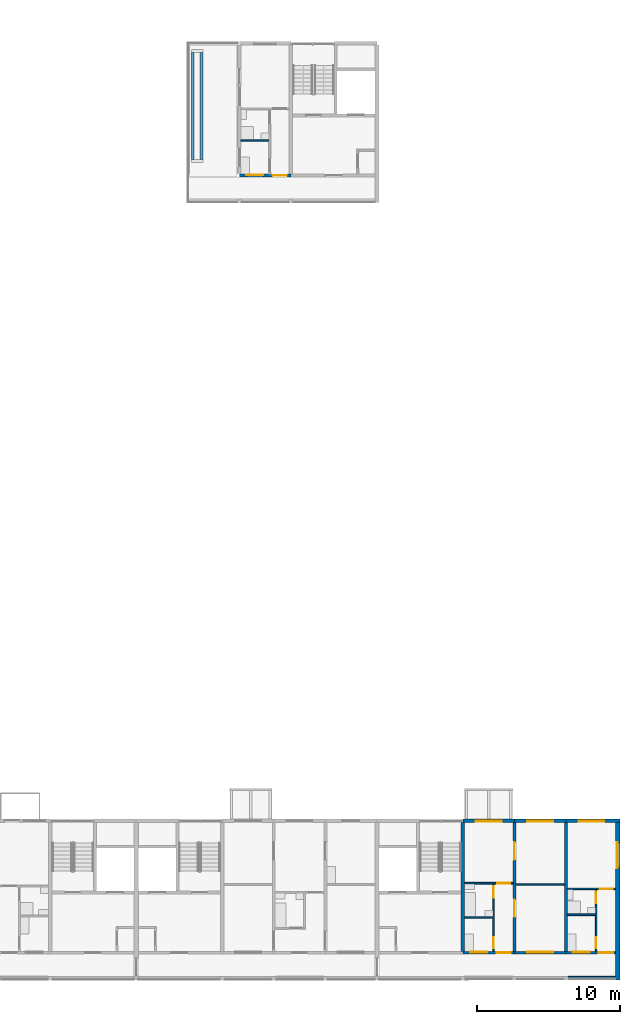
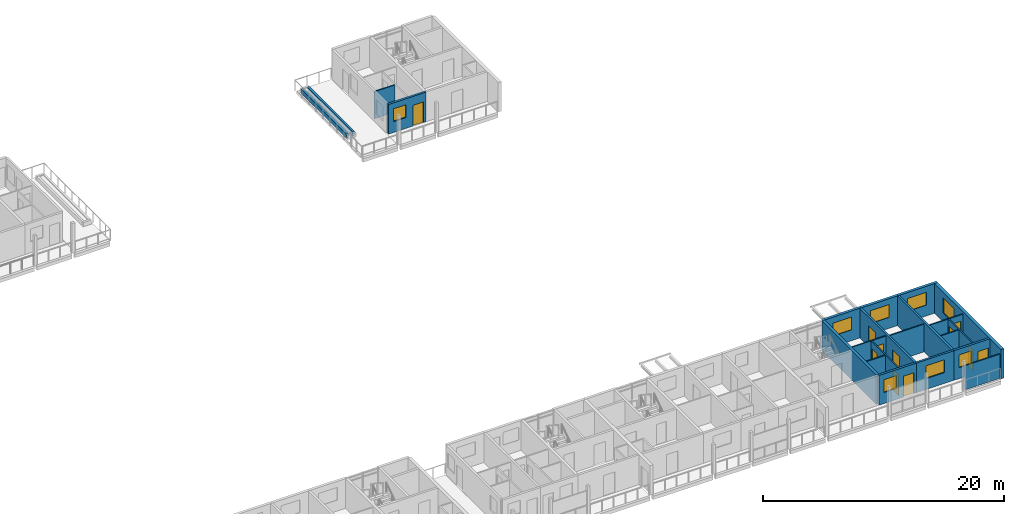
# One storey, part 38 of 64: 22 walls, 11 doors, 8 windows, 19 openings.
"""IFC4 building model written with IfcOpenShell, lengths in metres."""

from ifc_helpers import new_model, si_unit, direction, frame, frame_2d, origin, place, context, subcontext, project, spatial, rectangle, extrude, material, layer, layer_set, type_object, element, fill, save


model = new_model("IFC4")

# Units and contexts
model_context = context("Model", 3, precision=1e-05, world=origin(), true_north=direction((0.0, 1.0)))
body_context = subcontext(model_context, "Body", "Model", "MODEL_VIEW")
ifc_project = project(units=[si_unit("LENGTHUNIT", "METRE"), si_unit("AREAUNIT", "SQUARE_METRE"), si_unit("VOLUMEUNIT", "CUBIC_METRE"), si_unit("PLANEANGLEUNIT", "RADIAN"), si_unit("MASSUNIT", "GRAM", prefix="KILO")], contexts=[model_context])

# Site, building, storey
site_placement = place(None, origin())
site = spatial("IfcSite", under=ifc_project, at=site_placement, CompositionType="ELEMENT")
building_placement = place(site_placement, origin())
building = spatial("IfcBuilding", under=site, at=building_placement, Name="Ridgestep Commons", CompositionType="ELEMENT")
storey_placement = place(building_placement, frame((0.0, 0.0, 33.0)))
storey = spatial("IfcBuildingStorey", under=building, at=storey_placement, Name="L11", CompositionType="ELEMENT", Elevation=33.0)

# Wall
ifc_material_1 = material(Name="Concrete C30/37", Category="concrete")
ifc_layer_1 = layer(ifc_material_1, 0.25)
ifc_layer_set_1 = layer_set([ifc_layer_1], Name="Core cross wall 250")
wall_type_1 = type_object("IfcWallType", Name="Core cross wall 250", PredefinedType="SHEAR", material=ifc_layer_set_1)
wall_1_placement = place(storey_placement, frame((236.800048828125, 13.75, 0.0), z_axis=(0.0, 0.0, 1.0), x_axis=(0.0, 1.0, 0.0)))
element("IfcWall", 1, at=wall_1_placement, inside=storey, type_object=wall_type_1, Name="Cross wall D-11-2368", PredefinedType="SHEAR", context=body_context, shape_type="SweptSolid", body=[
    extrude(rectangle(XDim=9.0, YDim=0.25, at=frame_2d((4.5, 0.0))), origin(), (0.0, 0.0, 1.0), 3.0),
])

# Wall, openings, doors
ifc_material_2 = material(Name="Precast concrete C40/50", Category="concrete")
ifc_layer_2 = layer(ifc_material_2, 0.199951171875)
ifc_layer_set_2 = layer_set([ifc_layer_2], Name="Cross wall 200")
wall_type_2 = type_object("IfcWallType", Name="Cross wall 200", PredefinedType="SHEAR", material=ifc_layer_set_2)
wall_2_placement = place(storey_placement, frame((240.39990234375, 13.75, 0.0), z_axis=(0.0, 0.0, 1.0), x_axis=(0.0, 1.0, 0.0)))
wall_2 = element("IfcWall", 2, at=wall_2_placement, inside=storey, type_object=wall_type_2, Name="Cross wall D-11-2404", PredefinedType="SHEAR", context=body_context, shape_type="SweptSolid", body=[
    extrude(rectangle(XDim=9.0, YDim=0.199951171875, at=frame_2d((4.5, 0.0))), origin(), (0.0, 0.0, 1.0), 3.0),
])
opening_1_placement = place(wall_2_placement, frame((2.39990234375, 0.0, 0.0)))
opening_1 = element("IfcOpeningElement", 3, at=opening_1_placement, cuts=wall_2, Name="Opening D6-11b/5", PredefinedType="OPENING", context=body_context, shape_type="SweptSolid", body=[
    extrude(rectangle(XDim=1.199951171875, YDim=2.10009765625, at=frame_2d((0.60009765625, 1.050048828125))), frame((0.0, 0.10986328125, 0.0), z_axis=(0.0, -1.0, 0.0), x_axis=(1.0, 0.0, 0.0)), (0.0, 0.0, 1.0), 0.219970703125),
])
opening_2_placement = place(wall_2_placement, frame((6.39990234375, 0.0, 0.0)))
opening_2 = element("IfcOpeningElement", 4, at=opening_2_placement, cuts=wall_2, Name="Opening D6-11b/6", PredefinedType="OPENING", context=body_context, shape_type="SweptSolid", body=[
    extrude(rectangle(XDim=1.199951171875, YDim=2.10009765625, at=frame_2d((0.60009765625, 1.050048828125))), frame((0.0, 0.10986328125, 0.0), z_axis=(0.0, -1.0, 0.0), x_axis=(1.0, 0.0, 0.0)), (0.0, 0.0, 1.0), 0.219970703125),
])
ifc_material_3 = material(Name="Timber door leaf", Category="wood")
door_type_1 = type_object("IfcDoorType", Name="Double door 1200 x 2100", OperationType="DOUBLE_DOOR_SINGLE_SWING", PredefinedType="DOOR", material=ifc_material_3)
door_1_placement = place(opening_1_placement, origin())
door_1 = element("IfcDoor", 5, at=door_1_placement, inside=storey, type_object=door_type_1, Name="Double door D6-11b/5", OperationType="DOUBLE_DOOR_SINGLE_SWING", OverallHeight=2.10009765625, OverallWidth=1.199951171875, PredefinedType="DOOR", context=body_context, shape_type="SweptSolid", body=[
    extrude(rectangle(XDim=1.199951171875, YDim=2.10009765625, at=frame_2d((0.60009765625, 1.050048828125))), frame((0.0, 0.02490234375, 0.0), z_axis=(0.0, -1.0, 0.0), x_axis=(1.0, 0.0, 0.0)), (0.0, 0.0, 1.0), 0.050048828125),
])
fill(opening_1, door_1)
door_2_placement = place(opening_2_placement, origin())
door_2 = element("IfcDoor", 6, at=door_2_placement, inside=storey, type_object=door_type_1, Name="Double door D6-11b/6", OperationType="DOUBLE_DOOR_SINGLE_SWING", OverallHeight=2.10009765625, OverallWidth=1.199951171875, PredefinedType="DOOR", context=body_context, shape_type="SweptSolid", body=[
    extrude(rectangle(XDim=1.199951171875, YDim=2.10009765625, at=frame_2d((0.60009765625, 1.050048828125))), frame((0.0, 0.02490234375, 0.0), z_axis=(0.0, -1.0, 0.0), x_axis=(1.0, 0.0, 0.0)), (0.0, 0.0, 1.0), 0.050048828125),
])
fill(opening_2, door_2)

# Wall
wall_3_placement = place(storey_placement, frame((244.0, 13.75, 0.0), z_axis=(0.0, 0.0, 1.0), x_axis=(0.0, 1.0, 0.0)))
element("IfcWall", 7, at=wall_3_placement, inside=storey, type_object=wall_type_2, Name="Cross wall D-11-2440", PredefinedType="SHEAR", context=body_context, shape_type="SweptSolid", body=[
    extrude(rectangle(XDim=9.0, YDim=0.199951171875, at=frame_2d((4.5, 0.0))), origin(), (0.0, 0.0, 1.0), 3.0),
])

# Wall, opening, window
ifc_material_4 = material(Name="Precast concrete C40/50", Category="concrete")
ifc_layer_3 = layer(ifc_material_4, 0.300048828125)
ifc_layer_set_3 = layer_set([ifc_layer_3], Name="Exposed division wall 300")
wall_type_3 = type_object("IfcWallType", Name="Exposed division wall 300", PredefinedType="SHEAR", material=ifc_layer_set_3)
wall_4_placement = place(storey_placement, frame((247.60009765625, 11.75, 0.0), z_axis=(0.0, 0.0, 1.0), x_axis=(0.0, 1.0, 0.0)))
wall_4 = element("IfcWall", 8, at=wall_4_placement, inside=storey, type_object=wall_type_3, Name="Cross wall D-11-2476", PredefinedType="SHEAR", context=body_context, shape_type="SweptSolid", body=[
    extrude(rectangle(XDim=11.0, YDim=0.300048828125, at=frame_2d((5.5, 0.0))), origin(), (0.0, 0.0, 1.0), 3.0),
])
opening_3_placement = place(wall_4_placement, frame((7.804931640625, 0.0, 0.89990234375)))
opening_3 = element("IfcOpeningElement", 9, at=opening_3_placement, cuts=wall_4, Name="Opening W20", PredefinedType="OPENING", context=body_context, shape_type="SweptSolid", body=[
    extrude(rectangle(XDim=1.800048828125, YDim=1.5, at=frame_2d((0.89990234375, 0.75))), frame((0.0, 0.159912109375, 0.0), z_axis=(0.0, -1.0, 0.0), x_axis=(1.0, 0.0, 0.0)), (0.0, 0.0, 1.0), 0.320068359375),
])
ifc_material_5 = material(Name="Aluminium 6063-T6 and glass", Category="aluminium")
window_type_1 = type_object("IfcWindowType", Name="Flat window 1800 x 1500", PartitioningType="DOUBLE_PANEL_VERTICAL", PredefinedType="WINDOW", material=ifc_material_5)
window_1_placement = place(opening_3_placement, origin())
window_1 = element("IfcWindow", 10, at=window_1_placement, inside=storey, type_object=window_type_1, Name="Window D6-11a 3", OverallHeight=1.5, OverallWidth=1.800048828125, PartitioningType="SINGLE_PANEL", PredefinedType="WINDOW", context=body_context, shape_type="SweptSolid", body=[
    extrude(rectangle(XDim=1.800048828125, YDim=1.5, at=frame_2d((0.89990234375, 0.75))), frame((0.0, 0.06005859375, 0.0), z_axis=(0.0, -1.0, 0.0), x_axis=(1.0, 0.0, 0.0)), (0.0, 0.0, 1.0), 0.06005859375),
])
fill(opening_3, window_1)

ifc_material_6 = material(Name="Precast concrete C40/50", Category="concrete")
ifc_layer_4 = layer(ifc_material_6, 0.25)
ifc_layer_set_4 = layer_set([ifc_layer_4], Name="North facade panel 250")
wall_type_4 = type_object("IfcWallType", Name="North facade panel 250", PredefinedType="SOLIDWALL", material=ifc_layer_set_4)
wall_5_placement = place(storey_placement, frame((236.800048828125, 22.875, 0.0), z_axis=(0.0, 0.0, 1.0), x_axis=(1.0, 0.0, 0.0)))
wall_5 = element("IfcWall", 11, at=wall_5_placement, inside=storey, type_object=wall_type_4, Name="North panel D6T3 L11", PredefinedType="SOLIDWALL", context=body_context, shape_type="SweptSolid", body=[
    extrude(rectangle(XDim=3.599853515625, YDim=0.25, at=frame_2d((1.7998046875, 0.0))), origin(), (0.0, 0.0, 1.0), 3.0),
])
opening_4_placement = place(wall_5_placement, frame((0.91259765625, 0.0, 1.10009765625)))
opening_4 = element("IfcOpeningElement", 12, at=opening_4_placement, cuts=wall_5, Name="Opening W18", PredefinedType="OPENING", context=body_context, shape_type="SweptSolid", body=[
    extrude(rectangle(XDim=1.800048828125, YDim=1.300048828125, at=frame_2d((0.89990234375, 0.64990234375))), frame((0.0, 0.135009765625, 0.0), z_axis=(0.0, -1.0, 0.0), x_axis=(1.0, 0.0, 0.0)), (0.0, 0.0, 1.0), 0.27001953125),
])
ifc_material_7 = material(Name="Aluminium 6063-T6 and glass", Category="aluminium")
window_type_2 = type_object("IfcWindowType", Name="Flat window 1800 x 1300", PartitioningType="DOUBLE_PANEL_VERTICAL", PredefinedType="WINDOW", material=ifc_material_7)
window_2_placement = place(opening_4_placement, origin())
window_2 = element("IfcWindow", 13, at=window_2_placement, inside=storey, type_object=window_type_2, Name="Window D6-11b 4", OverallHeight=1.300048828125, OverallWidth=1.800048828125, PartitioningType="SINGLE_PANEL", PredefinedType="WINDOW", context=body_context, shape_type="SweptSolid", body=[
    extrude(rectangle(XDim=1.800048828125, YDim=1.300048828125, at=frame_2d((0.89990234375, 0.64990234375))), frame((0.0, -0.02490234375, 0.0), z_axis=(0.0, -1.0, 0.0), x_axis=(1.0, 0.0, 0.0)), (0.0, 0.0, 1.0), 0.06005859375),
])
fill(opening_4, window_2)

wall_6_placement = place(storey_placement, frame((240.39990234375, 22.875, 0.0), z_axis=(0.0, 0.0, 1.0), x_axis=(1.0, 0.0, 0.0)))
wall_6 = element("IfcWall", 14, at=wall_6_placement, inside=storey, type_object=wall_type_4, Name="North panel D6T2 L11", PredefinedType="SOLIDWALL", context=body_context, shape_type="SweptSolid", body=[
    extrude(rectangle(XDim=3.60009765625, YDim=0.25, at=frame_2d((1.800048828125, 0.0))), origin(), (0.0, 0.0, 1.0), 3.0),
])
opening_5_placement = place(wall_6_placement, frame((0.89990234375, 0.0, 1.10009765625)))
opening_5 = element("IfcOpeningElement", 15, at=opening_5_placement, cuts=wall_6, Name="Opening W18", PredefinedType="OPENING", context=body_context, shape_type="SweptSolid", body=[
    extrude(rectangle(XDim=1.800048828125, YDim=1.300048828125, at=frame_2d((0.89990234375, 0.64990234375))), frame((0.0, 0.135009765625, 0.0), z_axis=(0.0, -1.0, 0.0), x_axis=(1.0, 0.0, 0.0)), (0.0, 0.0, 1.0), 0.27001953125),
])
window_3_placement = place(opening_5_placement, origin())
window_3 = element("IfcWindow", 16, at=window_3_placement, inside=storey, type_object=window_type_2, Name="Window D6-11b 2", OverallHeight=1.300048828125, OverallWidth=1.800048828125, PartitioningType="SINGLE_PANEL", PredefinedType="WINDOW", context=body_context, shape_type="SweptSolid", body=[
    extrude(rectangle(XDim=1.800048828125, YDim=1.300048828125, at=frame_2d((0.89990234375, 0.64990234375))), frame((0.0, -0.02490234375, 0.0), z_axis=(0.0, -1.0, 0.0), x_axis=(1.0, 0.0, 0.0)), (0.0, 0.0, 1.0), 0.06005859375),
])
fill(opening_5, window_3)

wall_7_placement = place(storey_placement, frame((244.0, 22.875, 0.0), z_axis=(0.0, 0.0, 1.0), x_axis=(1.0, 0.0, 0.0)))
wall_7 = element("IfcWall", 17, at=wall_7_placement, inside=storey, type_object=wall_type_4, Name="North panel D6T1 L11", PredefinedType="SOLIDWALL", context=body_context, shape_type="SweptSolid", body=[
    extrude(rectangle(XDim=3.75, YDim=0.25, at=frame_2d((1.875, 0.0))), origin(), (0.0, 0.0, 1.0), 3.0),
])
opening_6_placement = place(wall_7_placement, frame((0.875, 0.0, 1.10009765625)))
opening_6 = element("IfcOpeningElement", 18, at=opening_6_placement, cuts=wall_7, Name="Opening W18", PredefinedType="OPENING", context=body_context, shape_type="SweptSolid", body=[
    extrude(rectangle(XDim=1.800048828125, YDim=1.300048828125, at=frame_2d((0.89990234375, 0.64990234375))), frame((0.0, 0.135009765625, 0.0), z_axis=(0.0, -1.0, 0.0), x_axis=(1.0, 0.0, 0.0)), (0.0, 0.0, 1.0), 0.27001953125),
])
window_4_placement = place(opening_6_placement, origin())
window_4 = element("IfcWindow", 19, at=window_4_placement, inside=storey, type_object=window_type_2, Name="Window D6-11a 2", OverallHeight=1.300048828125, OverallWidth=1.800048828125, PartitioningType="SINGLE_PANEL", PredefinedType="WINDOW", context=body_context, shape_type="SweptSolid", body=[
    extrude(rectangle(XDim=1.800048828125, YDim=1.300048828125, at=frame_2d((0.89990234375, 0.64990234375))), frame((0.0, -0.02490234375, 0.0), z_axis=(0.0, -1.0, 0.0), x_axis=(1.0, 0.0, 0.0)), (0.0, 0.0, 1.0), 0.06005859375),
])
fill(opening_6, window_4)

# Walls
ifc_material_8 = material(Name="Common brick 110 mm", Category="masonry")
ifc_layer_5 = layer(ifc_material_8, 0.110107421875)
ifc_layer_set_5 = layer_set([ifc_layer_5], Name="Partition 110")
wall_type_5 = type_object("IfcWallType", Name="Partition 110", PredefinedType="PARTITIONING", material=ifc_layer_set_5)
wall_8_placement = place(storey_placement, frame((221.300048828125, 70.35498046875, 0.0), z_axis=(0.0, 0.0, 1.0), x_axis=(1.0, 0.0, 0.0)))
element("IfcWall", 20, at=wall_8_placement, inside=storey, type_object=wall_type_5, Name="Partition C5-11a", PredefinedType="PARTITIONING", context=body_context, shape_type="SweptSolid", body=[
    extrude(rectangle(XDim=1.96484375, YDim=0.110107421875, at=frame_2d((0.982421875, 0.0))), origin(), (0.0, 0.0, 1.0), 2.75),
])
wall_9_placement = place(storey_placement, frame((244.10009765625, 16.304931640625, 0.0), z_axis=(0.0, 0.0, 1.0), x_axis=(1.0, 0.0, 0.0)))
element("IfcWall", 21, at=wall_9_placement, inside=storey, type_object=wall_type_5, Name="Partition D6-11a", PredefinedType="PARTITIONING", context=body_context, shape_type="SweptSolid", body=[
    extrude(rectangle(XDim=1.93994140625, YDim=0.110107421875, at=frame_2d((0.969970703125, 0.0))), origin(), (0.0, 0.0, 1.0), 2.75),
])

# Wall, openings, doors
wall_10_placement = place(storey_placement, frame((246.094970703125, 13.75, 0.0), z_axis=(0.0, 0.0, 1.0), x_axis=(0.0, 1.0, 0.0)))
wall_10 = element("IfcWall", 22, at=wall_10_placement, inside=storey, type_object=wall_type_5, Name="Partition D6-11a", PredefinedType="PARTITIONING", context=body_context, shape_type="SweptSolid", body=[
    extrude(rectangle(XDim=4.300048828125, YDim=0.110107421875, at=frame_2d((2.14990234375, 0.0))), origin(), (0.0, 0.0, 1.0), 2.75),
])
opening_7_placement = place(wall_10_placement, frame((0.199951171875, 0.0, 0.0)))
opening_7 = element("IfcOpeningElement", 23, at=opening_7_placement, cuts=wall_10, Name="Opening D6-11a/2", PredefinedType="OPENING", context=body_context, shape_type="SweptSolid", body=[
    extrude(rectangle(XDim=0.800048828125, YDim=2.10009765625, at=frame_2d((0.39990234375, 1.050048828125))), frame((0.0, 0.06494140625, 0.0), z_axis=(0.0, -1.0, 0.0), x_axis=(1.0, 0.0, 0.0)), (0.0, 0.0, 1.0), 0.130126953125),
])
opening_8_placement = place(wall_10_placement, frame((3.35009765625, 0.0, 0.0)))
opening_8 = element("IfcOpeningElement", 24, at=opening_8_placement, cuts=wall_10, Name="Opening D6-11a/3", PredefinedType="OPENING", context=body_context, shape_type="SweptSolid", body=[
    extrude(rectangle(XDim=0.800048828125, YDim=2.10009765625, at=frame_2d((0.39990234375, 1.050048828125))), frame((0.0, 0.06494140625, 0.0), z_axis=(0.0, -1.0, 0.0), x_axis=(1.0, 0.0, 0.0)), (0.0, 0.0, 1.0), 0.130126953125),
])
ifc_material_9 = material(Name="Timber door leaf", Category="wood")
door_type_2 = type_object("IfcDoorType", Name="Internal door 800 x 2100", OperationType="NOTDEFINED", PredefinedType="DOOR", material=ifc_material_9)
door_3_placement = place(opening_7_placement, origin())
door_3 = element("IfcDoor", 25, at=door_3_placement, inside=storey, type_object=door_type_2, Name="Internal door D6-11a/2", OperationType="SINGLE_SWING_LEFT", OverallHeight=2.10009765625, OverallWidth=0.800048828125, PredefinedType="DOOR", context=body_context, shape_type="SweptSolid", body=[
    extrude(rectangle(XDim=0.800048828125, YDim=2.10009765625, at=frame_2d((0.39990234375, 1.050048828125))), frame((0.0, 0.02490234375, 0.0), z_axis=(0.0, -1.0, 0.0), x_axis=(1.0, 0.0, 0.0)), (0.0, 0.0, 1.0), 0.050048828125),
])
fill(opening_7, door_3)
door_4_placement = place(opening_8_placement, origin())
door_4 = element("IfcDoor", 26, at=door_4_placement, inside=storey, type_object=door_type_2, Name="Internal door D6-11a/3", OperationType="SINGLE_SWING_RIGHT", OverallHeight=2.10009765625, OverallWidth=0.800048828125, PredefinedType="DOOR", context=body_context, shape_type="SweptSolid", body=[
    extrude(rectangle(XDim=0.800048828125, YDim=2.10009765625, at=frame_2d((0.39990234375, 1.050048828125))), frame((0.0, 0.02490234375, 0.0), z_axis=(0.0, -1.0, 0.0), x_axis=(1.0, 0.0, 0.0)), (0.0, 0.0, 1.0), 0.050048828125),
])
fill(opening_8, door_4)

# Wall, opening, door
wall_11_placement = place(storey_placement, frame((244.10009765625, 18.10498046875, 0.0), z_axis=(0.0, 0.0, 1.0), x_axis=(1.0, 0.0, 0.0)))
wall_11 = element("IfcWall", 27, at=wall_11_placement, inside=storey, type_object=wall_type_5, Name="Partition D6-11a", PredefinedType="PARTITIONING", context=body_context, shape_type="SweptSolid", body=[
    extrude(rectangle(XDim=3.349853515625, YDim=0.110107421875, at=frame_2d((1.6748046875, 0.0))), origin(), (0.0, 0.0, 1.0), 2.75),
])
opening_9_placement = place(wall_11_placement, frame((2.25, 0.0, 0.0)))
opening_9 = element("IfcOpeningElement", 28, at=opening_9_placement, cuts=wall_11, Name="Opening D6-11a/4", PredefinedType="OPENING", context=body_context, shape_type="SweptSolid", body=[
    extrude(rectangle(XDim=0.89990234375, YDim=2.10009765625, at=frame_2d((0.449951171875, 1.050048828125))), frame((0.0, 0.06494140625, 0.0), z_axis=(0.0, -1.0, 0.0), x_axis=(1.0, 0.0, 0.0)), (0.0, 0.0, 1.0), 0.130126953125),
])
ifc_material_10 = material(Name="Timber door leaf", Category="wood")
door_type_3 = type_object("IfcDoorType", Name="Internal door 900 x 2100", OperationType="NOTDEFINED", PredefinedType="DOOR", material=ifc_material_10)
door_5_placement = place(opening_9_placement, origin())
door_5 = element("IfcDoor", 29, at=door_5_placement, inside=storey, type_object=door_type_3, Name="Internal door D6-11a/4", OperationType="SINGLE_SWING_LEFT", OverallHeight=2.10009765625, OverallWidth=0.89990234375, PredefinedType="DOOR", context=body_context, shape_type="SweptSolid", body=[
    extrude(rectangle(XDim=0.89990234375, YDim=2.10009765625, at=frame_2d((0.449951171875, 1.050048828125))), frame((0.0, 0.02490234375, 0.0), z_axis=(0.0, -1.0, 0.0), x_axis=(1.0, 0.0, 0.0)), (0.0, 0.0, 1.0), 0.050048828125),
])
fill(opening_9, door_5)

# Wall
wall_12_placement = place(storey_placement, frame((236.925048828125, 16.10498046875, 0.0), z_axis=(0.0, 0.0, 1.0), x_axis=(1.0, 0.0, 0.0)))
element("IfcWall", 30, at=wall_12_placement, inside=storey, type_object=wall_type_5, Name="Partition D6-11b", PredefinedType="PARTITIONING", context=body_context, shape_type="SweptSolid", body=[
    extrude(rectangle(XDim=1.96484375, YDim=0.110107421875, at=frame_2d((0.982421875, 0.0))), origin(), (0.0, 0.0, 1.0), 2.800048828125),
])

# Wall, openings, doors
wall_13_placement = place(storey_placement, frame((238.945068359375, 13.75, 0.0), z_axis=(0.0, 0.0, 1.0), x_axis=(0.0, 1.0, 0.0)))
wall_13 = element("IfcWall", 31, at=wall_13_placement, inside=storey, type_object=wall_type_5, Name="Partition D6-11b", PredefinedType="PARTITIONING", context=body_context, shape_type="SweptSolid", body=[
    extrude(rectangle(XDim=4.699951171875, YDim=0.110107421875, at=frame_2d((2.35009765625, 0.0))), origin(), (0.0, 0.0, 1.0), 2.800048828125),
])
opening_10_placement = place(wall_13_placement, frame((0.199951171875, 0.0, 0.0)))
opening_10 = element("IfcOpeningElement", 32, at=opening_10_placement, cuts=wall_13, Name="Opening D6-11b/2", PredefinedType="OPENING", context=body_context, shape_type="SweptSolid", body=[
    extrude(rectangle(XDim=0.800048828125, YDim=2.10009765625, at=frame_2d((0.39990234375, 1.050048828125))), frame((0.0, 0.06494140625, 0.0), z_axis=(0.0, -1.0, 0.0), x_axis=(1.0, 0.0, 0.0)), (0.0, 0.0, 1.0), 0.130126953125),
])
opening_11_placement = place(wall_13_placement, frame((3.75, 0.0, 0.0)))
opening_11 = element("IfcOpeningElement", 33, at=opening_11_placement, cuts=wall_13, Name="Opening D6-11b/3", PredefinedType="OPENING", context=body_context, shape_type="SweptSolid", body=[
    extrude(rectangle(XDim=0.800048828125, YDim=2.10009765625, at=frame_2d((0.39990234375, 1.050048828125))), frame((0.0, 0.06494140625, 0.0), z_axis=(0.0, -1.0, 0.0), x_axis=(1.0, 0.0, 0.0)), (0.0, 0.0, 1.0), 0.130126953125),
])
door_6_placement = place(opening_10_placement, origin())
door_6 = element("IfcDoor", 34, at=door_6_placement, inside=storey, type_object=door_type_2, Name="Internal door D6-11b/2", OperationType="SINGLE_SWING_LEFT", OverallHeight=2.10009765625, OverallWidth=0.800048828125, PredefinedType="DOOR", context=body_context, shape_type="SweptSolid", body=[
    extrude(rectangle(XDim=0.800048828125, YDim=2.10009765625, at=frame_2d((0.39990234375, 1.050048828125))), frame((0.0, 0.02490234375, 0.0), z_axis=(0.0, -1.0, 0.0), x_axis=(1.0, 0.0, 0.0)), (0.0, 0.0, 1.0), 0.050048828125),
])
fill(opening_10, door_6)
door_7_placement = place(opening_11_placement, origin())
door_7 = element("IfcDoor", 35, at=door_7_placement, inside=storey, type_object=door_type_2, Name="Internal door D6-11b/3", OperationType="SINGLE_SWING_RIGHT", OverallHeight=2.10009765625, OverallWidth=0.800048828125, PredefinedType="DOOR", context=body_context, shape_type="SweptSolid", body=[
    extrude(rectangle(XDim=0.800048828125, YDim=2.10009765625, at=frame_2d((0.39990234375, 1.050048828125))), frame((0.0, 0.02490234375, 0.0), z_axis=(0.0, -1.0, 0.0), x_axis=(1.0, 0.0, 0.0)), (0.0, 0.0, 1.0), 0.050048828125),
])
fill(opening_11, door_7)

# Wall, opening, door
wall_14_placement = place(storey_placement, frame((236.925048828125, 18.5048828125, 0.0), z_axis=(0.0, 0.0, 1.0), x_axis=(1.0, 0.0, 0.0)))
wall_14 = element("IfcWall", 36, at=wall_14_placement, inside=storey, type_object=wall_type_5, Name="Partition D6-11b", PredefinedType="PARTITIONING", context=body_context, shape_type="SweptSolid", body=[
    extrude(rectangle(XDim=3.375, YDim=0.110107421875, at=frame_2d((1.6875, 0.0))), origin(), (0.0, 0.0, 1.0), 2.800048828125),
])
opening_12_placement = place(wall_14_placement, frame((2.27490234375, 0.0, 0.0)))
opening_12 = element("IfcOpeningElement", 37, at=opening_12_placement, cuts=wall_14, Name="Opening D6-11b/4", PredefinedType="OPENING", context=body_context, shape_type="SweptSolid", body=[
    extrude(rectangle(XDim=0.89990234375, YDim=2.10009765625, at=frame_2d((0.449951171875, 1.050048828125))), frame((0.0, 0.06494140625, 0.0), z_axis=(0.0, -1.0, 0.0), x_axis=(1.0, 0.0, 0.0)), (0.0, 0.0, 1.0), 0.130126953125),
])
door_8_placement = place(opening_12_placement, origin())
door_8 = element("IfcDoor", 38, at=door_8_placement, inside=storey, type_object=door_type_3, Name="Internal door D6-11b/4", OperationType="SINGLE_SWING_LEFT", OverallHeight=2.10009765625, OverallWidth=0.89990234375, PredefinedType="DOOR", context=body_context, shape_type="SweptSolid", body=[
    extrude(rectangle(XDim=0.89990234375, YDim=2.10009765625, at=frame_2d((0.449951171875, 1.050048828125))), frame((0.0, 0.02490234375, 0.0), z_axis=(0.0, -1.0, 0.0), x_axis=(1.0, 0.0, 0.0)), (0.0, 0.0, 1.0), 0.050048828125),
])
fill(opening_12, door_8)

# Walls
wall_15_placement = place(storey_placement, frame((240.5, 18.405029296875, 0.0), z_axis=(0.0, 0.0, 1.0), x_axis=(1.0, 0.0, 0.0)))
element("IfcWall", 39, at=wall_15_placement, inside=storey, type_object=wall_type_5, Name="Partition D6-11b", PredefinedType="PARTITIONING", context=body_context, shape_type="SweptSolid", body=[
    extrude(rectangle(XDim=3.39990234375, YDim=0.110107421875, at=frame_2d((1.699951171875, 0.0))), origin(), (0.0, 0.0, 1.0), 2.800048828125),
])
ifc_material_11 = material(Name="Precast concrete C30/37", Category="concrete")
ifc_layer_6 = layer(ifc_material_11, 0.10009765625)
ifc_layer_set_6 = layer_set([ifc_layer_6], Name="Perforated gallery screen 3325 x 2450 x 100")
wall_type_6 = type_object("IfcWallType", Name="Perforated gallery screen 3325 x 2450 x 100", PredefinedType="SOLIDWALL", material=ifc_layer_set_6)
wall_16_placement = place(storey_placement, frame((244.125, 11.949951171875, 0.0), z_axis=(0.0, 0.0, 1.0), x_axis=(1.0, 0.0, 0.0)))
element("IfcWall", 40, at=wall_16_placement, inside=storey, type_object=wall_type_6, Name="Gallery screen D6T1 11", PredefinedType="SOLIDWALL", context=body_context, shape_type="SweptSolid", body=[
    extrude(rectangle(XDim=3.324951171875, YDim=0.10009765625, at=frame_2d((1.66259765625, 0.0))), origin(), (0.0, 0.0, 1.0), 2.449951171875),
])
ifc_material_12 = material(Name="Facing brick", Category="masonry")
ifc_layer_7 = layer(ifc_material_12, 0.199951171875)
ifc_layer_set_7 = layer_set([ifc_layer_7], Name="Planter wall 200")
wall_type_7 = type_object("IfcWallType", Name="Planter wall 200", PredefinedType="SOLIDWALL", material=ifc_layer_set_7)
for number, where, z_axis, x_axis, name in (
    (41, (217.949951171875, 69.0, 0.010009765625), (0.0, 0.0, 1.0), (0.0, 1.0, 0.0), "Planter wall C5R2W"),
    (42, (218.550048828125, 69.0, 0.010009765625), (0.0, 0.0, 1.0), (0.0, 1.0, 0.0), "Planter wall C5R2E"),
):
    element("IfcWall", number, at=place(storey_placement, frame(where, z_axis=z_axis, x_axis=x_axis)), inside=storey, type_object=wall_type_7, Name=name, PredefinedType="SOLIDWALL", context=body_context, shape_type="SweptSolid", body=[
        extrude(rectangle(XDim=7.5, YDim=0.199951171875, at=frame_2d((3.75, 0.0))), origin(), (0.0, 0.0, 1.0), 0.449951171875),
    ])

# Wall, openings, door, window
ifc_material_13 = material(Name="Precast concrete C40/50", Category="concrete")
ifc_layer_8 = layer(ifc_material_13, 0.199951171875)
ifc_layer_set_8 = layer_set([ifc_layer_8], Name="South facade panel 200")
wall_type_8 = type_object("IfcWallType", Name="South facade panel 200", PredefinedType="SOLIDWALL", material=ifc_layer_set_8)
wall_17_placement = place(storey_placement, frame((221.199951171875, 67.89990234375, 0.0), z_axis=(0.0, 0.0, 1.0), x_axis=(1.0, 0.0, 0.0)))
wall_17 = element("IfcWall", 43, at=wall_17_placement, inside=storey, type_object=wall_type_8, Name="South panel C5T3 L11", PredefinedType="SOLIDWALL", context=body_context, shape_type="SweptSolid", body=[
    extrude(rectangle(XDim=3.60009765625, YDim=0.199951171875, at=frame_2d((1.800048828125, 0.0))), origin(), (0.0, 0.0, 1.0), 3.0),
])
opening_13_placement = place(wall_17_placement, frame((0.482421875, 0.0, 1.10009765625)))
opening_13 = element("IfcOpeningElement", 44, at=opening_13_placement, cuts=wall_17, Name="Opening W08", PredefinedType="OPENING", context=body_context, shape_type="SweptSolid", body=[
    extrude(rectangle(XDim=1.199951171875, YDim=1.300048828125, at=frame_2d((0.60009765625, 0.64990234375))), frame((0.0, 0.10986328125, 0.0), z_axis=(0.0, -1.0, 0.0), x_axis=(1.0, 0.0, 0.0)), (0.0, 0.0, 1.0), 0.219970703125),
])
opening_14_placement = place(wall_17_placement, frame((2.324951171875, 0.0, 0.0)))
opening_14 = element("IfcOpeningElement", 45, at=opening_14_placement, cuts=wall_17, Name="Opening C5-11a/1", PredefinedType="OPENING", context=body_context, shape_type="SweptSolid", body=[
    extrude(rectangle(XDim=1.0, YDim=2.10009765625, at=frame_2d((0.5, 1.050048828125))), frame((0.0, 0.10986328125, 0.0), z_axis=(0.0, -1.0, 0.0), x_axis=(1.0, 0.0, 0.0)), (0.0, 0.0, 1.0), 0.219970703125),
])
ifc_material_14 = material(Name="Timber door leaf", Category="wood")
door_type_4 = type_object("IfcDoorType", Name="Flat entrance door 1000 x 2100 FD30S", OperationType="NOTDEFINED", PredefinedType="DOOR", material=ifc_material_14)
door_9_placement = place(opening_14_placement, origin())
door_9 = element("IfcDoor", 46, at=door_9_placement, inside=storey, type_object=door_type_4, Name="Flat entrance door C5-11a/1", OperationType="SINGLE_SWING_RIGHT", OverallHeight=2.10009765625, OverallWidth=1.0, PredefinedType="DOOR", context=body_context, shape_type="SweptSolid", body=[
    extrude(rectangle(XDim=1.0, YDim=2.10009765625, at=frame_2d((0.5, 1.050048828125))), frame((0.0, 0.02490234375, 0.0), z_axis=(0.0, -1.0, 0.0), x_axis=(1.0, 0.0, 0.0)), (0.0, 0.0, 1.0), 0.050048828125),
])
fill(opening_14, door_9)
ifc_material_15 = material(Name="Aluminium 6063-T6 and glass", Category="aluminium")
window_type_3 = type_object("IfcWindowType", Name="Flat window 1200 x 1300", PartitioningType="SINGLE_PANEL", PredefinedType="WINDOW", material=ifc_material_15)
window_5_placement = place(opening_13_placement, origin())
window_5 = element("IfcWindow", 47, at=window_5_placement, inside=storey, type_object=window_type_3, Name="Window C5-11a 1", OverallHeight=1.300048828125, OverallWidth=1.199951171875, PartitioningType="SINGLE_PANEL", PredefinedType="WINDOW", context=body_context, shape_type="SweptSolid", body=[
    extrude(rectangle(XDim=1.199951171875, YDim=1.300048828125, at=frame_2d((0.60009765625, 0.64990234375))), frame((0.0, 0.06005859375, 0.0), z_axis=(0.0, -1.0, 0.0), x_axis=(1.0, 0.0, 0.0)), (0.0, 0.0, 1.0), 0.06005859375),
])
fill(opening_13, window_5)

wall_18_placement = place(storey_placement, frame((236.800048828125, 13.64990234375, 0.0), z_axis=(0.0, 0.0, 1.0), x_axis=(1.0, 0.0, 0.0)))
wall_18 = element("IfcWall", 48, at=wall_18_placement, inside=storey, type_object=wall_type_8, Name="South panel D6T3 L11", PredefinedType="SOLIDWALL", context=body_context, shape_type="SweptSolid", body=[
    extrude(rectangle(XDim=3.599853515625, YDim=0.199951171875, at=frame_2d((1.7998046875, 0.0))), origin(), (0.0, 0.0, 1.0), 3.0),
])
opening_15_placement = place(wall_18_placement, frame((0.507568359375, 0.0, 1.10009765625)))
opening_15 = element("IfcOpeningElement", 49, at=opening_15_placement, cuts=wall_18, Name="Opening W08", PredefinedType="OPENING", context=body_context, shape_type="SweptSolid", body=[
    extrude(rectangle(XDim=1.199951171875, YDim=1.300048828125, at=frame_2d((0.60009765625, 0.64990234375))), frame((0.0, 0.10986328125, 0.0), z_axis=(0.0, -1.0, 0.0), x_axis=(1.0, 0.0, 0.0)), (0.0, 0.0, 1.0), 0.219970703125),
])
opening_16_placement = place(wall_18_placement, frame((2.35009765625, 0.0, 0.0)))
opening_16 = element("IfcOpeningElement", 50, at=opening_16_placement, cuts=wall_18, Name="Opening D6-11b/1", PredefinedType="OPENING", context=body_context, shape_type="SweptSolid", body=[
    extrude(rectangle(XDim=1.0, YDim=2.10009765625, at=frame_2d((0.5, 1.050048828125))), frame((0.0, 0.10986328125, 0.0), z_axis=(0.0, -1.0, 0.0), x_axis=(1.0, 0.0, 0.0)), (0.0, 0.0, 1.0), 0.219970703125),
])
door_10_placement = place(opening_16_placement, origin())
door_10 = element("IfcDoor", 51, at=door_10_placement, inside=storey, type_object=door_type_4, Name="Flat entrance door D6-11b/1", OperationType="SINGLE_SWING_RIGHT", OverallHeight=2.10009765625, OverallWidth=1.0, PredefinedType="DOOR", context=body_context, shape_type="SweptSolid", body=[
    extrude(rectangle(XDim=1.0, YDim=2.10009765625, at=frame_2d((0.5, 1.050048828125))), frame((0.0, 0.02490234375, 0.0), z_axis=(0.0, -1.0, 0.0), x_axis=(1.0, 0.0, 0.0)), (0.0, 0.0, 1.0), 0.050048828125),
])
fill(opening_16, door_10)
window_6_placement = place(opening_15_placement, origin())
window_6 = element("IfcWindow", 52, at=window_6_placement, inside=storey, type_object=window_type_3, Name="Window D6-11b 3", OverallHeight=1.300048828125, OverallWidth=1.199951171875, PartitioningType="SINGLE_PANEL", PredefinedType="WINDOW", context=body_context, shape_type="SweptSolid", body=[
    extrude(rectangle(XDim=1.199951171875, YDim=1.300048828125, at=frame_2d((0.60009765625, 0.64990234375))), frame((0.0, 0.06005859375, 0.0), z_axis=(0.0, -1.0, 0.0), x_axis=(1.0, 0.0, 0.0)), (0.0, 0.0, 1.0), 0.06005859375),
])
fill(opening_15, window_6)

# Wall, opening, window
wall_19_placement = place(storey_placement, frame((240.39990234375, 13.64990234375, 0.0), z_axis=(0.0, 0.0, 1.0), x_axis=(1.0, 0.0, 0.0)))
wall_19 = element("IfcWall", 53, at=wall_19_placement, inside=storey, type_object=wall_type_8, Name="South panel D6T2 L11", PredefinedType="SOLIDWALL", context=body_context, shape_type="SweptSolid", body=[
    extrude(rectangle(XDim=3.60009765625, YDim=0.199951171875, at=frame_2d((1.800048828125, 0.0))), origin(), (0.0, 0.0, 1.0), 3.0),
])
opening_17_placement = place(wall_19_placement, frame((0.89990234375, 0.0, 1.10009765625)))
opening_17 = element("IfcOpeningElement", 54, at=opening_17_placement, cuts=wall_19, Name="Opening W18", PredefinedType="OPENING", context=body_context, shape_type="SweptSolid", body=[
    extrude(rectangle(XDim=1.800048828125, YDim=1.300048828125, at=frame_2d((0.89990234375, 0.64990234375))), frame((0.0, 0.10986328125, 0.0), z_axis=(0.0, -1.0, 0.0), x_axis=(1.0, 0.0, 0.0)), (0.0, 0.0, 1.0), 0.219970703125),
])
window_7_placement = place(opening_17_placement, origin())
window_7 = element("IfcWindow", 55, at=window_7_placement, inside=storey, type_object=window_type_2, Name="Window D6-11b 1", OverallHeight=1.300048828125, OverallWidth=1.800048828125, PartitioningType="SINGLE_PANEL", PredefinedType="WINDOW", context=body_context, shape_type="SweptSolid", body=[
    extrude(rectangle(XDim=1.800048828125, YDim=1.300048828125, at=frame_2d((0.89990234375, 0.64990234375))), frame((0.0, 0.06005859375, 0.0), z_axis=(0.0, -1.0, 0.0), x_axis=(1.0, 0.0, 0.0)), (0.0, 0.0, 1.0), 0.06005859375),
])
fill(opening_17, window_7)

# Wall, openings, door, window
wall_20_placement = place(storey_placement, frame((244.0, 13.64990234375, 0.0), z_axis=(0.0, 0.0, 1.0), x_axis=(1.0, 0.0, 0.0)))
wall_20 = element("IfcWall", 56, at=wall_20_placement, inside=storey, type_object=wall_type_8, Name="South panel D6T1 L11", PredefinedType="SOLIDWALL", context=body_context, shape_type="SweptSolid", body=[
    extrude(rectangle(XDim=3.449951171875, YDim=0.199951171875, at=frame_2d((1.72509765625, 0.0))), origin(), (0.0, 0.0, 1.0), 3.0),
])
opening_18_placement = place(wall_20_placement, frame((0.469970703125, 0.0, 1.10009765625)))
opening_18 = element("IfcOpeningElement", 57, at=opening_18_placement, cuts=wall_20, Name="Opening W08", PredefinedType="OPENING", context=body_context, shape_type="SweptSolid", body=[
    extrude(rectangle(XDim=1.199951171875, YDim=1.300048828125, at=frame_2d((0.60009765625, 0.64990234375))), frame((0.0, 0.10986328125, 0.0), z_axis=(0.0, -1.0, 0.0), x_axis=(1.0, 0.0, 0.0)), (0.0, 0.0, 1.0), 0.219970703125),
])
opening_19_placement = place(wall_20_placement, frame((2.300048828125, 0.0, 0.0)))
opening_19 = element("IfcOpeningElement", 58, at=opening_19_placement, cuts=wall_20, Name="Opening D6-11a/1", PredefinedType="OPENING", context=body_context, shape_type="SweptSolid", body=[
    extrude(rectangle(XDim=1.0, YDim=2.10009765625, at=frame_2d((0.5, 1.050048828125))), frame((0.0, 0.10986328125, 0.0), z_axis=(0.0, -1.0, 0.0), x_axis=(1.0, 0.0, 0.0)), (0.0, 0.0, 1.0), 0.219970703125),
])
door_11_placement = place(opening_19_placement, origin())
door_11 = element("IfcDoor", 59, at=door_11_placement, inside=storey, type_object=door_type_4, Name="Flat entrance door D6-11a/1", OperationType="SINGLE_SWING_RIGHT", OverallHeight=2.10009765625, OverallWidth=1.0, PredefinedType="DOOR", context=body_context, shape_type="SweptSolid", body=[
    extrude(rectangle(XDim=1.0, YDim=2.10009765625, at=frame_2d((0.5, 1.050048828125))), frame((0.0, 0.02490234375, 0.0), z_axis=(0.0, -1.0, 0.0), x_axis=(1.0, 0.0, 0.0)), (0.0, 0.0, 1.0), 0.050048828125),
])
fill(opening_19, door_11)
window_8_placement = place(opening_18_placement, origin())
window_8 = element("IfcWindow", 60, at=window_8_placement, inside=storey, type_object=window_type_3, Name="Window D6-11a 1", OverallHeight=1.300048828125, OverallWidth=1.199951171875, PartitioningType="SINGLE_PANEL", PredefinedType="WINDOW", context=body_context, shape_type="SweptSolid", body=[
    extrude(rectangle(XDim=1.199951171875, YDim=1.300048828125, at=frame_2d((0.60009765625, 0.64990234375))), frame((0.0, 0.06005859375, 0.0), z_axis=(0.0, -1.0, 0.0), x_axis=(1.0, 0.0, 0.0)), (0.0, 0.0, 1.0), 0.06005859375),
])
fill(opening_18, window_8)

save(model, "model.ifc")
